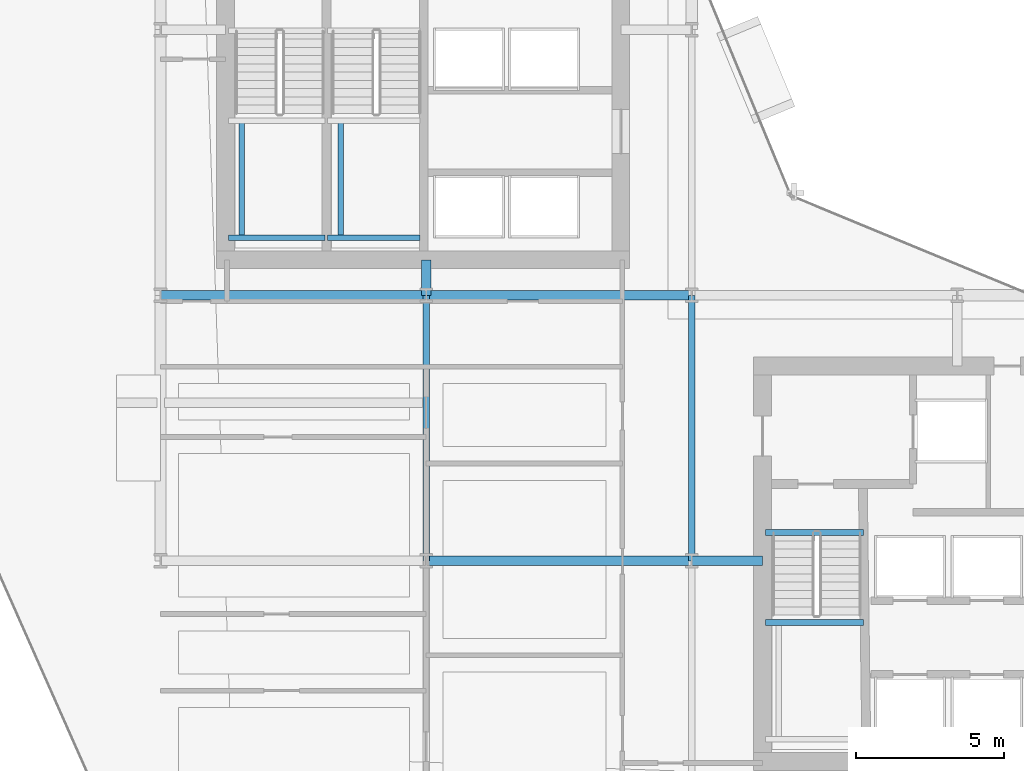
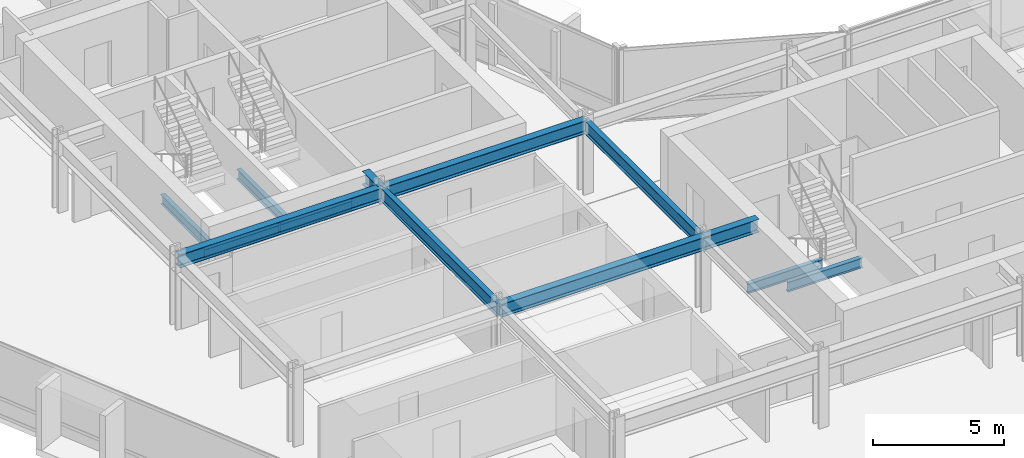
# One storey, part 7 of 34: 13 beams.
"""IFC4 building model written with IfcOpenShell, lengths in metres."""

from ifc_helpers import new_model, si_unit, direction, frame, origin, origin_2d, place, context, subcontext, project, spatial, i_section, extrude, material, material_profile, profile_set, type_object, element, save


model = new_model("IFC4")

# Units and contexts
model_context = context("Model", 3, precision=1e-05, world=origin(), true_north=direction((0.0, 1.0)))
body_context = subcontext(model_context, "Body", "Model", "MODEL_VIEW")
ifc_project = project(units=[si_unit("LENGTHUNIT", "METRE"), si_unit("AREAUNIT", "SQUARE_METRE"), si_unit("VOLUMEUNIT", "CUBIC_METRE"), si_unit("PLANEANGLEUNIT", "RADIAN"), si_unit("MASSUNIT", "GRAM", prefix="KILO")], contexts=[model_context])

# Site, building, storey
site_placement = place(None, origin())
site = spatial("IfcSite", under=ifc_project, at=site_placement, CompositionType="ELEMENT")
building_placement = place(site_placement, origin())
building = spatial("IfcBuilding", under=site, at=building_placement, Name="Solvaryn Broadcast Tower", CompositionType="ELEMENT")
storey_placement = place(building_placement, frame((0.0, 0.0, 39.699951171875)))
storey = spatial("IfcBuildingStorey", under=building, at=storey_placement, Name="L08", CompositionType="ELEMENT", Elevation=39.699951171875)

# Beams
ifc_material_1 = material(Name="Steel ASTM A992 Grade 50", Category="steel")
ifc_material_profile_1 = material_profile(ifc_material_1, i_section(OverallWidth=0.323974609375, OverallDepth=0.611083984375, WebThickness=0.0126953125, FlangeThickness=0.01904296875, FilletRadius=0.014892578125, at=origin_2d()))
ifc_profile_set_1 = profile_set([ifc_material_profile_1], Name="Steel ASTM A992 Grade 50")
beam_type_1 = type_object("IfcBeamType", Name="BM-B1-W24X104", PredefinedType="BEAM", material=ifc_profile_set_1)
for number, where, z_axis, x_axis, name in (
    (1, (18.0, 18.0, 3.114501953125), (1.0, 0.0, 0.0), (0.0, 1.0, 0.0), "L08 Primary Beam X (18-27 @ Y=18)"),
    (2, (9.0, 27.0, 3.114501953125), (1.0, 0.0, 0.0), (0.0, 1.0, 0.0), "L08 Primary Beam X (9-18 @ Y=27)"),
    (3, (18.0, 27.0, 3.114501953125), (1.0, 0.0, 0.0), (0.0, 1.0, 0.0), "L08 Primary Beam X (18-27 @ Y=27)"),
):
    element("IfcBeam", number, at=place(storey_placement, frame(where, z_axis=z_axis, x_axis=x_axis)), inside=storey, type_object=beam_type_1, Name=name, PredefinedType="BEAM", context=body_context, shape_type="SweptSolid", body=[
        extrude(i_section(OverallWidth=0.323974609375, OverallDepth=0.611083984375, WebThickness=0.0126953125, FlangeThickness=0.01904296875, FilletRadius=0.014892578125, at=origin_2d()), origin(), (0.0, 0.0, 1.0), 9.0),
    ])
beam_1_placement = place(storey_placement, frame((18.0, 27.0, 3.114501953125), z_axis=(0.0, 1.0, 0.0), x_axis=(-1.0, 0.0, 0.0)))
element("IfcBeam", 4, at=beam_1_placement, inside=storey, type_object=beam_type_1, Name="L08 Core Tie Beam CTW4", PredefinedType="BEAM", context=body_context, shape_type="SweptSolid", body=[
    extrude(i_section(OverallWidth=0.323974609375, OverallDepth=0.611083984375, WebThickness=0.0126953125, FlangeThickness=0.01904296875, FilletRadius=0.014892578125, at=origin_2d()), origin(), (0.0, 0.0, 1.0), 1.199951171875),
])
beam_2_placement = place(storey_placement, frame((27.0, 18.0, 3.114501953125), z_axis=(1.0, 0.0, 0.0), x_axis=(0.0, 1.0, 0.0)))
element("IfcBeam", 5, at=beam_2_placement, inside=storey, type_object=beam_type_1, Name="L08 Core Tie Beam CTE4", PredefinedType="BEAM", context=body_context, shape_type="SweptSolid", body=[
    extrude(i_section(OverallWidth=0.323974609375, OverallDepth=0.611083984375, WebThickness=0.0126953125, FlangeThickness=0.01904296875, FilletRadius=0.014892578125, at=origin_2d()), origin(), (0.0, 0.0, 1.0), 2.39990234375),
])
ifc_material_2 = material(Name="Steel ASTM A992 Grade 50", Category="steel")
ifc_material_profile_2 = material_profile(ifc_material_2, i_section(OverallWidth=0.22802734375, OverallDepth=0.60791015625, WebThickness=0.01123046875, FlangeThickness=0.017333984375, FilletRadius=0.014892578125, at=origin_2d()))
ifc_profile_set_2 = profile_set([ifc_material_profile_2], Name="Steel ASTM A992 Grade 50")
beam_type_2 = type_object("IfcBeamType", Name="BM-B2-W24X76", PredefinedType="BEAM", material=ifc_profile_set_2)
for number, where, z_axis, x_axis, name in (
    (6, (18.0, 18.0, 3.115966796875), (0.0, 1.0, 0.0), (-1.0, 0.0, 0.0), "L08 Primary Beam Y (18-27 @ X=18)"),
    (7, (27.0, 18.0, 3.115966796875), (0.0, 1.0, 0.0), (-1.0, 0.0, 0.0), "L08 Primary Beam Y (18-27 @ X=27)"),
):
    element("IfcBeam", number, at=place(storey_placement, frame(where, z_axis=z_axis, x_axis=x_axis)), inside=storey, type_object=beam_type_2, Name=name, PredefinedType="BEAM", context=body_context, shape_type="SweptSolid", body=[
        extrude(i_section(OverallWidth=0.22802734375, OverallDepth=0.60791015625, WebThickness=0.01123046875, FlangeThickness=0.017333984375, FilletRadius=0.014892578125, at=origin_2d()), origin(), (0.0, 0.0, 1.0), 9.0),
    ])
ifc_material_3 = material(Name="Steel ASTM A992 Grade 50", Category="steel")
ifc_material_profile_3 = material_profile(ifc_material_3, i_section(OverallWidth=0.18994140625, OverallDepth=0.45703125, WebThickness=0.009033203125, FlangeThickness=0.014404296875, FilletRadius=0.011962890625, at=origin_2d()))
ifc_profile_set_3 = profile_set([ifc_material_profile_3], Name="Steel ASTM A992 Grade 50")
beam_type_3 = type_object("IfcBeamType", Name="BM-B4-W18X50", PredefinedType="BEAM", material=ifc_profile_set_3)
beam_3_placement = place(storey_placement, frame((11.300048828125, 28.949951171875, 1.421630859375), z_axis=(1.0, 0.0, 0.0), x_axis=(0.0, 1.0, 0.0)))
element("IfcBeam", 8, at=beam_3_placement, inside=storey, type_object=beam_type_3, Name="L08 ST1 Landing Support Beam 1A", PredefinedType="BEAM", context=body_context, shape_type="SweptSolid", body=[
    extrude(i_section(OverallWidth=0.18994140625, OverallDepth=0.45703125, WebThickness=0.009033203125, FlangeThickness=0.014404296875, FilletRadius=0.011962890625, at=origin_2d()), origin(), (0.0, 0.0, 1.0), 3.280029296875),
])
beam_4_placement = place(storey_placement, frame((11.75, 28.949951171875, 1.421630859375), z_axis=(0.0, 1.0, 0.0), x_axis=(-1.0, 0.0, 0.0)))
element("IfcBeam", 9, at=beam_4_placement, inside=storey, type_object=beam_type_3, Name="L08 ST1 Landing Cross Stringer 1C", PredefinedType="BEAM", context=body_context, shape_type="SweptSolid", body=[
    extrude(i_section(OverallWidth=0.18994140625, OverallDepth=0.45703125, WebThickness=0.009033203125, FlangeThickness=0.014404296875, FilletRadius=0.011962890625, at=origin_2d()), origin(), (0.0, 0.0, 1.0), 3.9599609375),
])
beam_5_placement = place(storey_placement, frame((14.659912109375, 28.949951171875, 1.421630859375), z_axis=(1.0, 0.0, 0.0), x_axis=(0.0, 1.0, 0.0)))
element("IfcBeam", 10, at=beam_5_placement, inside=storey, type_object=beam_type_3, Name="L08 ST2 Landing Support Beam 1A", PredefinedType="BEAM", context=body_context, shape_type="SweptSolid", body=[
    extrude(i_section(OverallWidth=0.18994140625, OverallDepth=0.45703125, WebThickness=0.009033203125, FlangeThickness=0.014404296875, FilletRadius=0.011962890625, at=origin_2d()), origin(), (0.0, 0.0, 1.0), 3.14013671875),
])
beam_6_placement = place(storey_placement, frame((15.110107421875, 28.949951171875, 1.421630859375), z_axis=(0.0, 1.0, 0.0), x_axis=(-1.0, 0.0, 0.0)))
element("IfcBeam", 11, at=beam_6_placement, inside=storey, type_object=beam_type_3, Name="L08 ST2 Landing Cross Stringer 1C", PredefinedType="BEAM", context=body_context, shape_type="SweptSolid", body=[
    extrude(i_section(OverallWidth=0.18994140625, OverallDepth=0.45703125, WebThickness=0.009033203125, FlangeThickness=0.014404296875, FilletRadius=0.011962890625, at=origin_2d()), origin(), (0.0, 0.0, 1.0), 3.9599609375),
])
for number, where, z_axis, x_axis, name in (
    (12, (29.5, 18.9599609375, -0.508544921875), (1.0, 0.0, 0.0), (0.0, 1.0, 0.0), "L08 ST3 Stair Well Trimmer Beam"),
    (13, (29.5, 15.909912109375, 1.421630859375), (1.0, 0.0, 0.0), (0.0, 1.0, 0.0), "L08 ST3 Landing Support Beam 1B"),
):
    element("IfcBeam", number, at=place(storey_placement, frame(where, z_axis=z_axis, x_axis=x_axis)), inside=storey, type_object=beam_type_3, Name=name, PredefinedType="BEAM", context=body_context, shape_type="SweptSolid", body=[
        extrude(i_section(OverallWidth=0.18994140625, OverallDepth=0.45703125, WebThickness=0.009033203125, FlangeThickness=0.014404296875, FilletRadius=0.011962890625, at=origin_2d()), origin(), (0.0, 0.0, 1.0), 3.320068359375),
    ])

save(model, "model.ifc")
